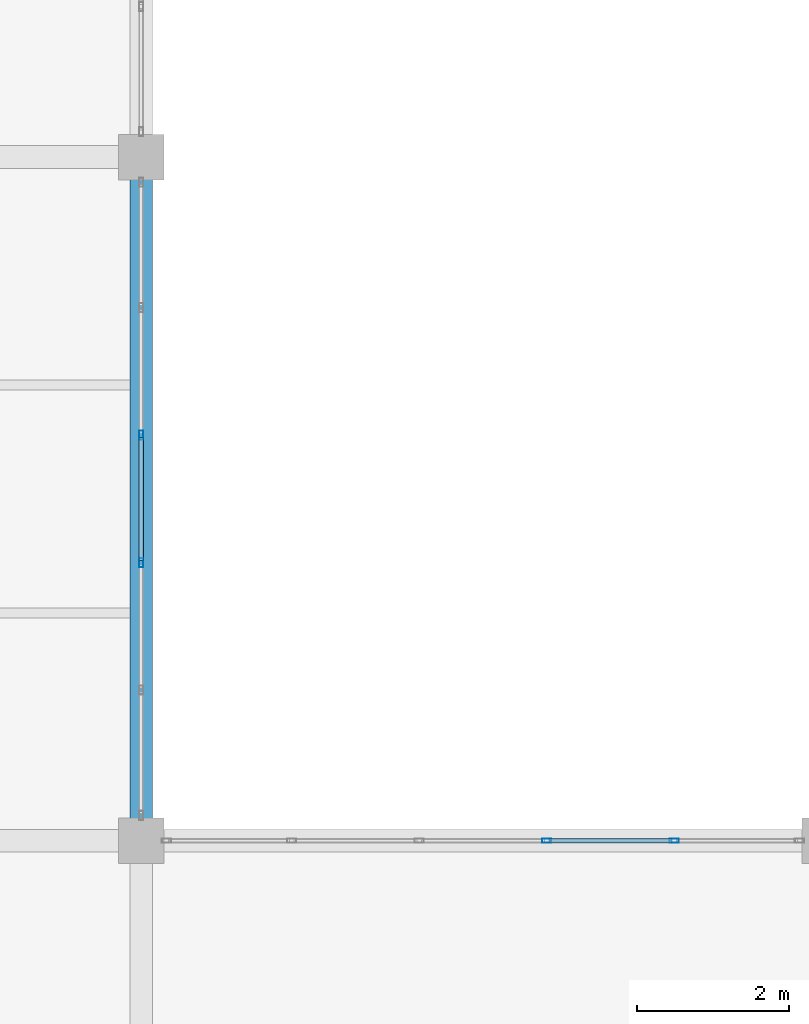
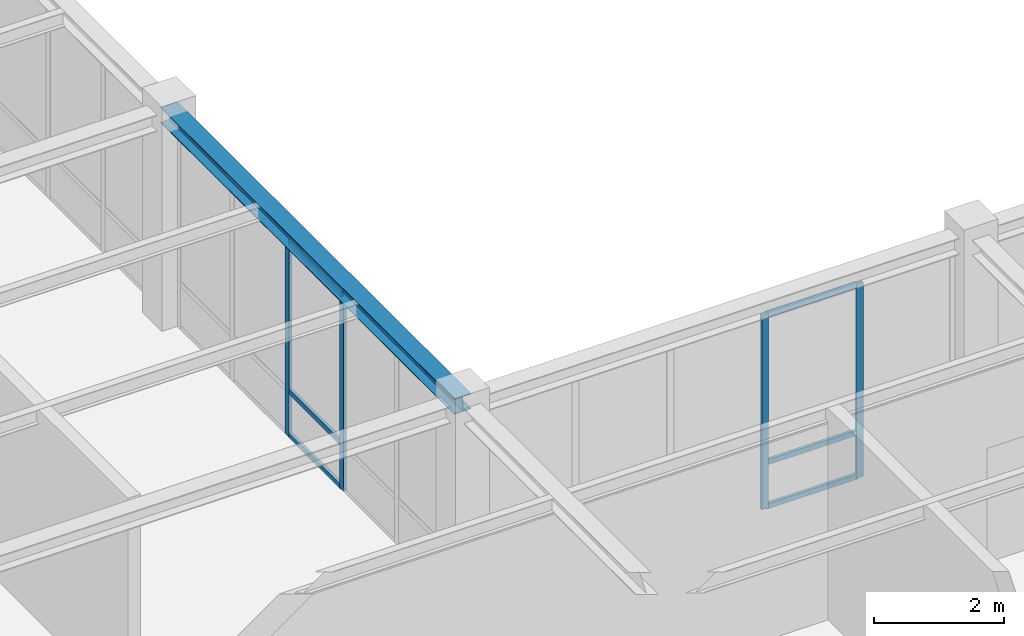
# One storey, part 46 of 130: 10 members, 1 beam, 2 elements without a shape of their own.
"""IFC4 building model written with IfcOpenShell, lengths in metres."""

from ifc_helpers import new_model, si_unit, direction, frame, origin, origin_2d, place, context, subcontext, project, spatial, hollow_rectangle, i_section, extrude, material, material_profile, profile_set, type_object, element, aggregate, save


model = new_model("IFC4")

# Units and contexts
model_context = context("Model", 3, precision=1e-05, world=origin(), true_north=direction((0.0, 1.0)))
body_context = subcontext(model_context, "Body", "Model", "MODEL_VIEW")
ifc_project = project(units=[si_unit("LENGTHUNIT", "METRE"), si_unit("AREAUNIT", "SQUARE_METRE"), si_unit("VOLUMEUNIT", "CUBIC_METRE"), si_unit("PLANEANGLEUNIT", "RADIAN"), si_unit("MASSUNIT", "GRAM", prefix="KILO")], contexts=[model_context])

# Site, building, storey
site_placement = place(None, origin())
site = spatial("IfcSite", under=ifc_project, at=site_placement, CompositionType="ELEMENT")
building_placement = place(site_placement, origin())
building = spatial("IfcBuilding", under=site, at=building_placement, Name="Lykobir Media Centre", CompositionType="ELEMENT")
storey_placement = place(building_placement, frame((0.0, 0.0, 19.199951171875)))
storey = spatial("IfcBuildingStorey", under=building, at=storey_placement, Name="L04", CompositionType="ELEMENT", Elevation=19.199951171875)

# Beam
ifc_material_1 = material(Name="Steel S355", Category="steel")
ifc_material_profile_1 = material_profile(ifc_material_1, i_section(OverallWidth=0.300048828125, OverallDepth=0.2900390625, WebThickness=0.008544921875, FlangeThickness=0.013916015625, at=origin_2d()), Name="HEA 300")
ifc_profile_set_1 = profile_set([ifc_material_profile_1], Name="Steel S355")
beam_type = type_object("IfcBeamType", Name="BM-HEA300", PredefinedType="BEAM", material=ifc_profile_set_1)
beam_placement = place(storey_placement, frame((99.0, 18.0, 3.81494140625), z_axis=(0.0, 1.0, 0.0), x_axis=(-1.0, 0.0, 0.0)))
element("IfcBeam", 1, at=beam_placement, inside=storey, type_object=beam_type, Name="Beam BM-L04-0990-0180-0990-0270-2302", PredefinedType="BEAM", context=body_context, shape_type="SweptSolid", body=[
    extrude(i_section(OverallWidth=0.300048828125, OverallDepth=0.2900390625, WebThickness=0.008544921875, FlangeThickness=0.013916015625, at=origin_2d()), origin(), (0.0, 0.0, 1.0), 9.0),
])

# Curtain wall, members
ifc_material_2 = material(Name="Anodized Aluminium AW-6060", Category="aluminium")
curtain_wall_type = type_object("IfcCurtainWallType", Name="CW-COURT-B", PredefinedType="NOTDEFINED", material=ifc_material_2)
curtain_wall_1_placement = place(storey_placement, origin())
curtain_wall_1 = element("IfcCurtainWall", 2, at=curtain_wall_1_placement, inside=storey, type_object=curtain_wall_type, Name="Curtain wall CW2-L04-0169", PredefinedType="NOTDEFINED")
ifc_material_profile_2 = material_profile(ifc_material_2, hollow_rectangle(XDim=0.054931640625, YDim=0.1201171875, WallThickness=0.003173828125, at=origin_2d()), Name="ALU MULLION 55x120")
ifc_profile_set_2 = profile_set([ifc_material_profile_2], Name="Anodized Aluminium AW-6060")
member_type_1 = type_object("IfcMemberType", Name="CWM-120", PredefinedType="MULLION", material=ifc_profile_set_2)
member_1_placement = place(storey_placement, frame((104.339111328125, 18.0, 0.0), z_axis=(0.0, 0.0, 1.0), x_axis=(0.0, 1.0, 0.0)))
member_1 = element("IfcMember", 3, at=member_1_placement, type_object=member_type_1, Name="CW2-L04-0169 mullion 4", PredefinedType="MULLION", context=body_context, shape_type="SweptSolid", body=[
    extrude(hollow_rectangle(XDim=0.054931640625, YDim=0.1201171875, WallThickness=0.003173828125, at=origin_2d()), origin(), (0.0, 0.0, 1.0), 3.635009765625),
])
member_2_placement = place(storey_placement, frame((106.01708984375, 18.0, 0.0), z_axis=(0.0, 0.0, 1.0), x_axis=(0.0, 1.0, 0.0)))
member_2 = element("IfcMember", 4, at=member_2_placement, type_object=member_type_1, Name="CW2-L04-0169 mullion 5", PredefinedType="MULLION", context=body_context, shape_type="SweptSolid", body=[
    extrude(hollow_rectangle(XDim=0.054931640625, YDim=0.1201171875, WallThickness=0.003173828125, at=origin_2d()), origin(), (0.0, 0.0, 1.0), 3.635009765625),
])

curtain_wall_2_placement = place(storey_placement, origin())
curtain_wall_2 = element("IfcCurtainWall", 5, at=curtain_wall_2_placement, inside=storey, type_object=curtain_wall_type, Name="Curtain wall CW2-L04-0172", PredefinedType="NOTDEFINED")
member_3_placement = place(storey_placement, frame((99.0, 23.339111328125, 0.0), z_axis=(0.0, 0.0, 1.0), x_axis=(1.0, 0.0, 0.0)))
member_3 = element("IfcMember", 6, at=member_3_placement, type_object=member_type_1, Name="CW2-L04-0172 mullion 3", PredefinedType="MULLION", context=body_context, shape_type="SweptSolid", body=[
    extrude(hollow_rectangle(XDim=0.054931640625, YDim=0.1201171875, WallThickness=0.003173828125, at=origin_2d()), origin(), (0.0, 0.0, 1.0), 3.655029296875),
])
member_4_placement = place(storey_placement, frame((99.0, 21.660888671875, 0.0), z_axis=(0.0, 0.0, 1.0), x_axis=(1.0, 0.0, 0.0)))
member_4 = element("IfcMember", 7, at=member_4_placement, type_object=member_type_1, Name="CW2-L04-0172 mullion 4", PredefinedType="MULLION", context=body_context, shape_type="SweptSolid", body=[
    extrude(hollow_rectangle(XDim=0.054931640625, YDim=0.1201171875, WallThickness=0.003173828125, at=origin_2d()), origin(), (0.0, 0.0, 1.0), 3.655029296875),
])

# Member
ifc_material_profile_3 = material_profile(ifc_material_2, hollow_rectangle(XDim=0.054931640625, YDim=0.094970703125, WallThickness=0.0029296875, at=origin_2d()), Name="ALU TRANSOM 55x95")
ifc_profile_set_3 = profile_set([ifc_material_profile_3], Name="Anodized Aluminium AW-6060")
member_type_2 = type_object("IfcMemberType", Name="CWT-095", PredefinedType="USERDEFINED", material=ifc_profile_set_3)
member_5_placement = place(storey_placement, frame((104.366455078125, 18.0, 0.027587890625), z_axis=(1.0, 0.0, 0.0), x_axis=(0.0, 1.0, 0.0)))
member_5 = element("IfcMember", 8, at=member_5_placement, type_object=member_type_2, Name="CW2-L04-0169 transom 4.1", ObjectType="TRANSOM", PredefinedType="USERDEFINED", context=body_context, shape_type="SweptSolid", body=[
    extrude(hollow_rectangle(XDim=0.054931640625, YDim=0.094970703125, WallThickness=0.0029296875, at=origin_2d()), origin(), (0.0, 0.0, 1.0), 1.623046875),
])

member_6_placement = place(storey_placement, frame((104.366455078125, 18.0, 0.85009765625), z_axis=(1.0, 0.0, 0.0), x_axis=(0.0, 1.0, 0.0)))
member_6 = element("IfcMember", 9, at=member_6_placement, type_object=member_type_2, Name="CW2-L04-0169 transom 4.2", ObjectType="TRANSOM", PredefinedType="USERDEFINED", context=body_context, shape_type="SweptSolid", body=[
    extrude(hollow_rectangle(XDim=0.054931640625, YDim=0.094970703125, WallThickness=0.0029296875, at=origin_2d()), origin(), (0.0, 0.0, 1.0), 1.623046875),
])

member_7_placement = place(storey_placement, frame((104.366455078125, 18.0, 3.607666015625), z_axis=(1.0, 0.0, 0.0), x_axis=(0.0, 1.0, 0.0)))
member_7 = element("IfcMember", 10, at=member_7_placement, type_object=member_type_2, Name="CW2-L04-0169 transom 4.3", ObjectType="TRANSOM", PredefinedType="USERDEFINED", context=body_context, shape_type="SweptSolid", body=[
    extrude(hollow_rectangle(XDim=0.054931640625, YDim=0.094970703125, WallThickness=0.0029296875, at=origin_2d()), origin(), (0.0, 0.0, 1.0), 1.623046875),
])

aggregate(curtain_wall_1, [member_1, member_2, member_5, member_6, member_7])

member_8_placement = place(storey_placement, frame((99.0, 23.3115234375, 0.027587890625), z_axis=(0.0, -1.0, 0.0), x_axis=(1.0, 0.0, 0.0)))
member_8 = element("IfcMember", 11, at=member_8_placement, type_object=member_type_2, Name="CW2-L04-0172 transom 3.1", ObjectType="TRANSOM", PredefinedType="USERDEFINED", context=body_context, shape_type="SweptSolid", body=[
    extrude(hollow_rectangle(XDim=0.054931640625, YDim=0.094970703125, WallThickness=0.0029296875, at=origin_2d()), origin(), (0.0, 0.0, 1.0), 1.623046875),
])

member_9_placement = place(storey_placement, frame((99.0, 23.3115234375, 0.85009765625), z_axis=(0.0, -1.0, 0.0), x_axis=(1.0, 0.0, 0.0)))
member_9 = element("IfcMember", 12, at=member_9_placement, type_object=member_type_2, Name="CW2-L04-0172 transom 3.2", ObjectType="TRANSOM", PredefinedType="USERDEFINED", context=body_context, shape_type="SweptSolid", body=[
    extrude(hollow_rectangle(XDim=0.054931640625, YDim=0.094970703125, WallThickness=0.0029296875, at=origin_2d()), origin(), (0.0, 0.0, 1.0), 1.623046875),
])

member_10_placement = place(storey_placement, frame((99.0, 23.3115234375, 3.62744140625), z_axis=(0.0, -1.0, 0.0), x_axis=(1.0, 0.0, 0.0)))
member_10 = element("IfcMember", 13, at=member_10_placement, type_object=member_type_2, Name="CW2-L04-0172 transom 3.3", ObjectType="TRANSOM", PredefinedType="USERDEFINED", context=body_context, shape_type="SweptSolid", body=[
    extrude(hollow_rectangle(XDim=0.054931640625, YDim=0.094970703125, WallThickness=0.0029296875, at=origin_2d()), origin(), (0.0, 0.0, 1.0), 1.623046875),
])

aggregate(curtain_wall_2, [member_3, member_4, member_8, member_9, member_10])

save(model, "model.ifc")
